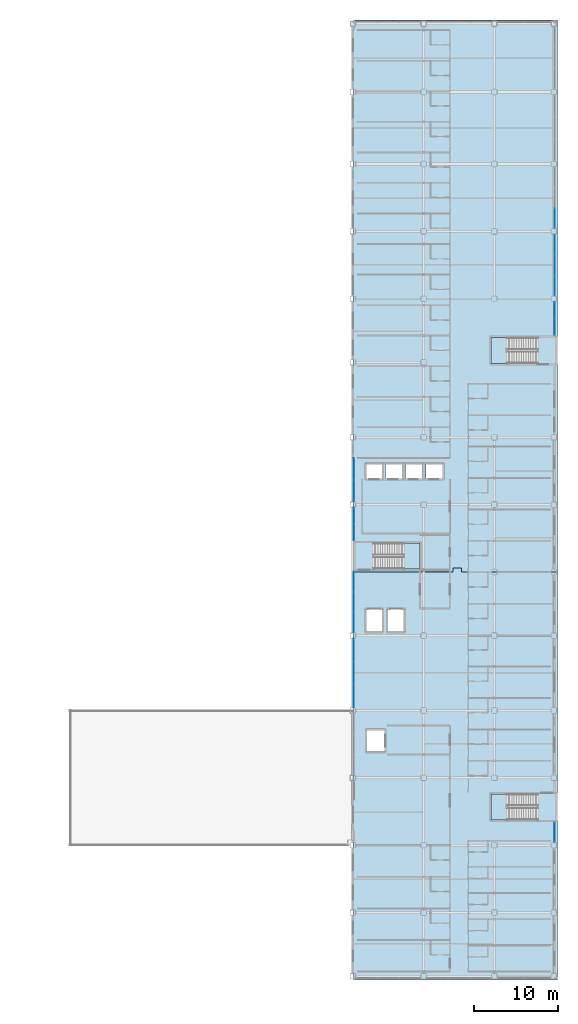
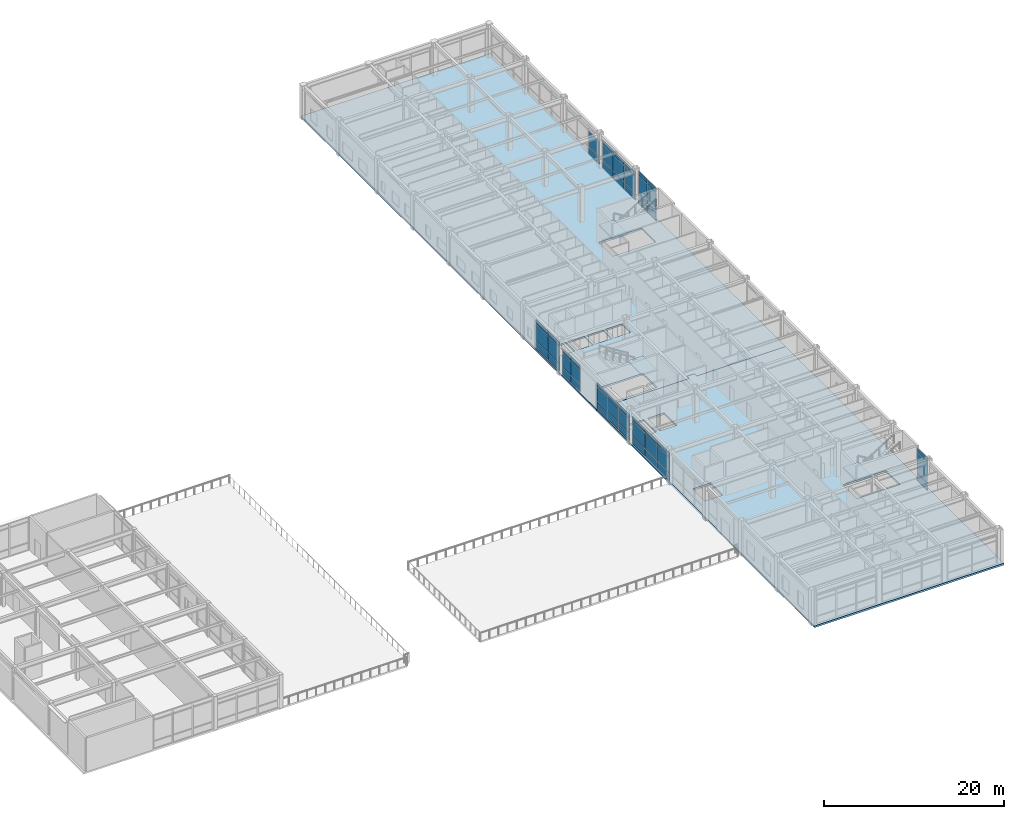
# One storey, part 46 of 61: 50 plates, 5 slabs, 11 elements without a shape of their own.
"""IFC4 building model written with IfcOpenShell, lengths in metres."""

from ifc_helpers import new_model, si_unit, direction, frame, origin, origin_2d, place, context, subcontext, project, spatial, polyline, rectangle, outline, extrude, material, layer, layer_set, type_object, element, aggregate, save


model = new_model("IFC4")

# Units and contexts
model_context = context("Model", 3, precision=1e-05, world=origin(), true_north=direction((0.0, 1.0)))
body_context = subcontext(model_context, "Body", "Model", "MODEL_VIEW")
ifc_project = project(units=[si_unit("LENGTHUNIT", "METRE"), si_unit("AREAUNIT", "SQUARE_METRE"), si_unit("VOLUMEUNIT", "CUBIC_METRE"), si_unit("PLANEANGLEUNIT", "RADIAN"), si_unit("MASSUNIT", "GRAM", prefix="KILO")], contexts=[model_context])

# Site, building, storey
site_placement = place(None, origin())
site = spatial("IfcSite", under=ifc_project, at=site_placement, CompositionType="ELEMENT")
building_placement = place(site_placement, origin())
building = spatial("IfcBuilding", under=site, at=building_placement, Name="Kazehara Bluff Congress Hotel", CompositionType="ELEMENT")
storey_placement = place(building_placement, frame((0.0, 0.0, 19.800048828125)))
storey = spatial("IfcBuildingStorey", under=building, at=storey_placement, Name="L04", CompositionType="ELEMENT", Elevation=19.800048828125)

# Curtain wall, plates
ifc_material_1 = material(Name="Anodised aluminium", Category="aluminium")
ifc_layer_1 = layer(ifc_material_1, 0.159912109375)
ifc_layer_set_1 = layer_set([ifc_layer_1], Name="Anodised aluminium")
curtain_wall_type_1 = type_object("IfcCurtainWallType", Name="TP-CW-162", PredefinedType="NOTDEFINED", material=ifc_layer_set_1)
curtain_wall_1_placement = place(storey_placement, origin())
curtain_wall_1 = element("IfcCurtainWall", 1, at=curtain_wall_1_placement, inside=storey, type_object=curtain_wall_type_1, Name="L04 curtain wall CW-162 CW-ENC-V5-L04-16765-8490", PredefinedType="NOTDEFINED")
ifc_material_2 = material(Name="Insulated low-E double glazing", Category="glass")
ifc_layer_2 = layer(ifc_material_2, 0.028076171875)
ifc_layer_set_2 = layer_set([ifc_layer_2], Name="Insulated low-E double glazing")
plate_type_1 = type_object("IfcPlateType", Name="TP-CWP-01", PredefinedType="CURTAIN_PANEL", material=ifc_layer_set_2)
plate_1_placement = place(storey_placement, frame((167.64990234375, 87.333740234375, 0.06494140625), z_axis=(0.0, 0.0, 1.0), x_axis=(0.0, -1.0, 0.0)))
plate_1 = element("IfcPlate", 2, at=plate_1_placement, type_object=plate_type_1, Name="CW-162 panel 1.1", PredefinedType="CURTAIN_PANEL", context=body_context, shape_type="SweptSolid", body=[
    extrude(rectangle(XDim=2.3525390625, YDim=0.028076171875, at=origin_2d()), origin(), (0.0, 0.0, 1.0), 0.952392578125),
])
plate_2_placement = place(storey_placement, frame((167.64990234375, 87.333740234375, 1.08251953125), z_axis=(0.0, 0.0, 1.0), x_axis=(0.0, -1.0, 0.0)))
plate_2 = element("IfcPlate", 3, at=plate_2_placement, type_object=plate_type_1, Name="CW-162 panel 1.2", PredefinedType="CURTAIN_PANEL", context=body_context, shape_type="SweptSolid", body=[
    extrude(rectangle(XDim=2.3525390625, YDim=0.028076171875, at=origin_2d()), origin(), (0.0, 0.0, 1.0), 2.139892578125),
])
plate_3_placement = place(storey_placement, frame((167.64990234375, 87.333740234375, 3.28759765625), z_axis=(0.0, 0.0, 1.0), x_axis=(0.0, -1.0, 0.0)))
plate_3 = element("IfcPlate", 4, at=plate_3_placement, type_object=plate_type_1, Name="CW-162 panel 1.3", PredefinedType="CURTAIN_PANEL", context=body_context, shape_type="SweptSolid", body=[
    extrude(rectangle(XDim=2.3525390625, YDim=0.028076171875, at=origin_2d()), origin(), (0.0, 0.0, 1.0), 0.552490234375),
])
plate_4_placement = place(storey_placement, frame((167.64990234375, 84.89990234375, 0.06494140625), z_axis=(0.0, 0.0, 1.0), x_axis=(0.0, -1.0, 0.0)))
plate_4 = element("IfcPlate", 5, at=plate_4_placement, type_object=plate_type_1, Name="CW-162 panel 2.1", PredefinedType="CURTAIN_PANEL", context=body_context, shape_type="SweptSolid", body=[
    extrude(rectangle(XDim=2.385009765625, YDim=0.028076171875, at=origin_2d()), origin(), (0.0, 0.0, 1.0), 0.952392578125),
])
plate_5_placement = place(storey_placement, frame((167.64990234375, 84.89990234375, 1.08251953125), z_axis=(0.0, 0.0, 1.0), x_axis=(0.0, -1.0, 0.0)))
plate_5 = element("IfcPlate", 6, at=plate_5_placement, type_object=plate_type_1, Name="CW-162 panel 2.2", PredefinedType="CURTAIN_PANEL", context=body_context, shape_type="SweptSolid", body=[
    extrude(rectangle(XDim=2.385009765625, YDim=0.028076171875, at=origin_2d()), origin(), (0.0, 0.0, 1.0), 2.139892578125),
])
plate_6_placement = place(storey_placement, frame((167.64990234375, 84.89990234375, 3.28759765625), z_axis=(0.0, 0.0, 1.0), x_axis=(0.0, -1.0, 0.0)))
plate_6 = element("IfcPlate", 7, at=plate_6_placement, type_object=plate_type_1, Name="CW-162 panel 2.3", PredefinedType="CURTAIN_PANEL", context=body_context, shape_type="SweptSolid", body=[
    extrude(rectangle(XDim=2.385009765625, YDim=0.028076171875, at=origin_2d()), origin(), (0.0, 0.0, 1.0), 0.552490234375),
])
plate_7_placement = place(storey_placement, frame((167.64990234375, 82.46630859375, 0.06494140625), z_axis=(0.0, 0.0, 1.0), x_axis=(0.0, -1.0, 0.0)))
plate_7 = element("IfcPlate", 8, at=plate_7_placement, type_object=plate_type_1, Name="CW-162 panel 3.1", PredefinedType="CURTAIN_PANEL", context=body_context, shape_type="SweptSolid", body=[
    extrude(rectangle(XDim=2.3525390625, YDim=0.028076171875, at=origin_2d()), origin(), (0.0, 0.0, 1.0), 0.952392578125),
])
plate_8_placement = place(storey_placement, frame((167.64990234375, 82.46630859375, 1.08251953125), z_axis=(0.0, 0.0, 1.0), x_axis=(0.0, -1.0, 0.0)))
plate_8 = element("IfcPlate", 9, at=plate_8_placement, type_object=plate_type_1, Name="CW-162 panel 3.2", PredefinedType="CURTAIN_PANEL", context=body_context, shape_type="SweptSolid", body=[
    extrude(rectangle(XDim=2.3525390625, YDim=0.028076171875, at=origin_2d()), origin(), (0.0, 0.0, 1.0), 2.139892578125),
])
plate_9_placement = place(storey_placement, frame((167.64990234375, 82.46630859375, 3.28759765625), z_axis=(0.0, 0.0, 1.0), x_axis=(0.0, -1.0, 0.0)))
plate_9 = element("IfcPlate", 10, at=plate_9_placement, type_object=plate_type_1, Name="CW-162 panel 3.3", PredefinedType="CURTAIN_PANEL", context=body_context, shape_type="SweptSolid", body=[
    extrude(rectangle(XDim=2.3525390625, YDim=0.028076171875, at=origin_2d()), origin(), (0.0, 0.0, 1.0), 0.552490234375),
])
aggregate(curtain_wall_1, [plate_1, plate_2, plate_3, plate_4, plate_5, plate_6, plate_7, plate_8, plate_9])

curtain_wall_2_placement = place(storey_placement, origin())
curtain_wall_2 = element("IfcCurtainWall", 11, at=curtain_wall_2_placement, inside=storey, type_object=curtain_wall_type_1, Name="L04 curtain wall CW-162 CW-ENC-V5-L04-16765-9290", PredefinedType="NOTDEFINED")
plate_10_placement = place(storey_placement, frame((167.64990234375, 90.46630859375, 0.06494140625), z_axis=(0.0, 0.0, 1.0), x_axis=(0.0, -1.0, 0.0)))
plate_10 = element("IfcPlate", 12, at=plate_10_placement, type_object=plate_type_1, Name="CW-162 panel 3.1", PredefinedType="CURTAIN_PANEL", context=body_context, shape_type="SweptSolid", body=[
    extrude(rectangle(XDim=2.3525390625, YDim=0.028076171875, at=origin_2d()), origin(), (0.0, 0.0, 1.0), 0.952392578125),
])
plate_11_placement = place(storey_placement, frame((167.64990234375, 90.46630859375, 1.08251953125), z_axis=(0.0, 0.0, 1.0), x_axis=(0.0, -1.0, 0.0)))
plate_11 = element("IfcPlate", 13, at=plate_11_placement, type_object=plate_type_1, Name="CW-162 panel 3.2", PredefinedType="CURTAIN_PANEL", context=body_context, shape_type="SweptSolid", body=[
    extrude(rectangle(XDim=2.3525390625, YDim=0.028076171875, at=origin_2d()), origin(), (0.0, 0.0, 1.0), 2.139892578125),
])
aggregate(curtain_wall_2, [plate_10, plate_11])

ifc_material_3 = material(Name="Anodised aluminium", Category="aluminium")
ifc_layer_3 = layer(ifc_material_3, 0.159912109375)
ifc_layer_set_3 = layer_set([ifc_layer_3], Name="Anodised aluminium")
curtain_wall_type_2 = type_object("IfcCurtainWallType", Name="TP-CW-167", PredefinedType="NOTDEFINED", material=ifc_layer_set_3)
curtain_wall_3_placement = place(storey_placement, origin())
curtain_wall_3 = element("IfcCurtainWall", 14, at=curtain_wall_3_placement, inside=storey, type_object=curtain_wall_type_2, Name="L04 curtain wall CW-167 CW-ENC-V5-L04-14380-3645", PredefinedType="NOTDEFINED")
plate_12_placement = place(storey_placement, frame((143.800048828125, 33.71630859375, 0.06494140625), z_axis=(0.0, 0.0, 1.0), x_axis=(0.0, 1.0, 0.0)))
plate_12 = element("IfcPlate", 15, at=plate_12_placement, type_object=plate_type_1, Name="CW-167 panel 1.1", PredefinedType="CURTAIN_PANEL", context=body_context, shape_type="SweptSolid", body=[
    extrude(rectangle(XDim=2.652587890625, YDim=0.028076171875, at=origin_2d()), origin(), (0.0, 0.0, 1.0), 0.952392578125),
])
plate_13_placement = place(storey_placement, frame((143.800048828125, 33.71630859375, 1.08251953125), z_axis=(0.0, 0.0, 1.0), x_axis=(0.0, 1.0, 0.0)))
plate_13 = element("IfcPlate", 16, at=plate_13_placement, type_object=plate_type_1, Name="CW-167 panel 1.2", PredefinedType="CURTAIN_PANEL", context=body_context, shape_type="SweptSolid", body=[
    extrude(rectangle(XDim=2.652587890625, YDim=0.028076171875, at=origin_2d()), origin(), (0.0, 0.0, 1.0), 2.090087890625),
])
plate_14_placement = place(storey_placement, frame((143.800048828125, 33.71630859375, 3.2373046875), z_axis=(0.0, 0.0, 1.0), x_axis=(0.0, 1.0, 0.0)))
plate_14 = element("IfcPlate", 17, at=plate_14_placement, type_object=plate_type_1, Name="CW-167 panel 1.3", PredefinedType="CURTAIN_PANEL", context=body_context, shape_type="SweptSolid", body=[
    extrude(rectangle(XDim=2.652587890625, YDim=0.028076171875, at=origin_2d()), origin(), (0.0, 0.0, 1.0), 0.552490234375),
])
plate_15_placement = place(storey_placement, frame((143.800048828125, 36.449951171875, 0.06494140625), z_axis=(0.0, 0.0, 1.0), x_axis=(0.0, 1.0, 0.0)))
plate_15 = element("IfcPlate", 18, at=plate_15_placement, type_object=plate_type_1, Name="CW-167 panel 2.1", PredefinedType="CURTAIN_PANEL", context=body_context, shape_type="SweptSolid", body=[
    extrude(rectangle(XDim=2.68505859375, YDim=0.028076171875, at=origin_2d()), origin(), (0.0, 0.0, 1.0), 0.952392578125),
])
plate_16_placement = place(storey_placement, frame((143.800048828125, 36.449951171875, 1.08251953125), z_axis=(0.0, 0.0, 1.0), x_axis=(0.0, 1.0, 0.0)))
plate_16 = element("IfcPlate", 19, at=plate_16_placement, type_object=plate_type_1, Name="CW-167 panel 2.2", PredefinedType="CURTAIN_PANEL", context=body_context, shape_type="SweptSolid", body=[
    extrude(rectangle(XDim=2.68505859375, YDim=0.028076171875, at=origin_2d()), origin(), (0.0, 0.0, 1.0), 2.090087890625),
])
plate_17_placement = place(storey_placement, frame((143.800048828125, 36.449951171875, 3.2373046875), z_axis=(0.0, 0.0, 1.0), x_axis=(0.0, 1.0, 0.0)))
plate_17 = element("IfcPlate", 20, at=plate_17_placement, type_object=plate_type_1, Name="CW-167 panel 2.3", PredefinedType="CURTAIN_PANEL", context=body_context, shape_type="SweptSolid", body=[
    extrude(rectangle(XDim=2.68505859375, YDim=0.028076171875, at=origin_2d()), origin(), (0.0, 0.0, 1.0), 0.552490234375),
])
plate_18_placement = place(storey_placement, frame((143.800048828125, 39.183837890625, 0.06494140625), z_axis=(0.0, 0.0, 1.0), x_axis=(0.0, 1.0, 0.0)))
plate_18 = element("IfcPlate", 21, at=plate_18_placement, type_object=plate_type_1, Name="CW-167 panel 3.1", PredefinedType="CURTAIN_PANEL", context=body_context, shape_type="SweptSolid", body=[
    extrude(rectangle(XDim=2.652587890625, YDim=0.028076171875, at=origin_2d()), origin(), (0.0, 0.0, 1.0), 0.952392578125),
])
plate_19_placement = place(storey_placement, frame((143.800048828125, 39.183837890625, 1.08251953125), z_axis=(0.0, 0.0, 1.0), x_axis=(0.0, 1.0, 0.0)))
plate_19 = element("IfcPlate", 22, at=plate_19_placement, type_object=plate_type_1, Name="CW-167 panel 3.2", PredefinedType="CURTAIN_PANEL", context=body_context, shape_type="SweptSolid", body=[
    extrude(rectangle(XDim=2.652587890625, YDim=0.028076171875, at=origin_2d()), origin(), (0.0, 0.0, 1.0), 2.090087890625),
])
plate_20_placement = place(storey_placement, frame((143.800048828125, 39.183837890625, 3.2373046875), z_axis=(0.0, 0.0, 1.0), x_axis=(0.0, 1.0, 0.0)))
plate_20 = element("IfcPlate", 23, at=plate_20_placement, type_object=plate_type_1, Name="CW-167 panel 3.3", PredefinedType="CURTAIN_PANEL", context=body_context, shape_type="SweptSolid", body=[
    extrude(rectangle(XDim=2.652587890625, YDim=0.028076171875, at=origin_2d()), origin(), (0.0, 0.0, 1.0), 0.552490234375),
])
aggregate(curtain_wall_3, [plate_12, plate_13, plate_14, plate_15, plate_16, plate_17, plate_18, plate_19, plate_20])

ifc_material_4 = material(Name="Anodised aluminium", Category="aluminium")
ifc_layer_4 = layer(ifc_material_4, 0.159912109375)
ifc_layer_set_4 = layer_set([ifc_layer_4], Name="Anodised aluminium")
curtain_wall_type_3 = type_object("IfcCurtainWallType", Name="TP-CW-168", PredefinedType="NOTDEFINED", material=ifc_layer_set_4)
curtain_wall_4_placement = place(storey_placement, origin())
curtain_wall_4 = element("IfcCurtainWall", 24, at=curtain_wall_4_placement, inside=storey, type_object=curtain_wall_type_3, Name="L04 curtain wall CW-168 CW-ENC-V5-L04-14380-4488", PredefinedType="NOTDEFINED")
plate_21_placement = place(storey_placement, frame((143.800048828125, 42.46044921875, 0.06494140625), z_axis=(0.0, 0.0, 1.0), x_axis=(0.0, 1.0, 0.0)))
plate_21 = element("IfcPlate", 25, at=plate_21_placement, type_object=plate_type_1, Name="CW-168 panel 1.1", PredefinedType="CURTAIN_PANEL", context=body_context, shape_type="SweptSolid", body=[
    extrude(rectangle(XDim=2.3408203125, YDim=0.028076171875, at=origin_2d()), origin(), (0.0, 0.0, 1.0), 0.952392578125),
])
plate_22_placement = place(storey_placement, frame((143.800048828125, 42.46044921875, 1.08251953125), z_axis=(0.0, 0.0, 1.0), x_axis=(0.0, 1.0, 0.0)))
plate_22 = element("IfcPlate", 26, at=plate_22_placement, type_object=plate_type_1, Name="CW-168 panel 1.2", PredefinedType="CURTAIN_PANEL", context=body_context, shape_type="SweptSolid", body=[
    extrude(rectangle(XDim=2.3408203125, YDim=0.028076171875, at=origin_2d()), origin(), (0.0, 0.0, 1.0), 1.889892578125),
])
plate_23_placement = place(storey_placement, frame((143.800048828125, 42.46044921875, 3.03759765625), z_axis=(0.0, 0.0, 1.0), x_axis=(0.0, 1.0, 0.0)))
plate_23 = element("IfcPlate", 27, at=plate_23_placement, type_object=plate_type_1, Name="CW-168 panel 1.3", PredefinedType="CURTAIN_PANEL", context=body_context, shape_type="SweptSolid", body=[
    extrude(rectangle(XDim=2.3408203125, YDim=0.028076171875, at=origin_2d()), origin(), (0.0, 0.0, 1.0), 0.552490234375),
])
plate_24_placement = place(storey_placement, frame((143.800048828125, 44.882568359375, 0.06494140625), z_axis=(0.0, 0.0, 1.0), x_axis=(0.0, 1.0, 0.0)))
plate_24 = element("IfcPlate", 28, at=plate_24_placement, type_object=plate_type_1, Name="CW-168 panel 2.1", PredefinedType="CURTAIN_PANEL", context=body_context, shape_type="SweptSolid", body=[
    extrude(rectangle(XDim=2.373291015625, YDim=0.028076171875, at=origin_2d()), origin(), (0.0, 0.0, 1.0), 0.952392578125),
])
plate_25_placement = place(storey_placement, frame((143.800048828125, 44.882568359375, 1.08251953125), z_axis=(0.0, 0.0, 1.0), x_axis=(0.0, 1.0, 0.0)))
plate_25 = element("IfcPlate", 29, at=plate_25_placement, type_object=plate_type_1, Name="CW-168 panel 2.2", PredefinedType="CURTAIN_PANEL", context=body_context, shape_type="SweptSolid", body=[
    extrude(rectangle(XDim=2.373291015625, YDim=0.028076171875, at=origin_2d()), origin(), (0.0, 0.0, 1.0), 1.889892578125),
])
plate_26_placement = place(storey_placement, frame((143.800048828125, 44.882568359375, 3.03759765625), z_axis=(0.0, 0.0, 1.0), x_axis=(0.0, 1.0, 0.0)))
plate_26 = element("IfcPlate", 30, at=plate_26_placement, type_object=plate_type_1, Name="CW-168 panel 2.3", PredefinedType="CURTAIN_PANEL", context=body_context, shape_type="SweptSolid", body=[
    extrude(rectangle(XDim=2.373291015625, YDim=0.028076171875, at=origin_2d()), origin(), (0.0, 0.0, 1.0), 0.552490234375),
])
plate_27_placement = place(storey_placement, frame((143.800048828125, 47.3046875, 0.06494140625), z_axis=(0.0, 0.0, 1.0), x_axis=(0.0, 1.0, 0.0)))
plate_27 = element("IfcPlate", 31, at=plate_27_placement, type_object=plate_type_1, Name="CW-168 panel 3.1", PredefinedType="CURTAIN_PANEL", context=body_context, shape_type="SweptSolid", body=[
    extrude(rectangle(XDim=2.3408203125, YDim=0.028076171875, at=origin_2d()), origin(), (0.0, 0.0, 1.0), 0.952392578125),
])
plate_28_placement = place(storey_placement, frame((143.800048828125, 47.3046875, 1.08251953125), z_axis=(0.0, 0.0, 1.0), x_axis=(0.0, 1.0, 0.0)))
plate_28 = element("IfcPlate", 32, at=plate_28_placement, type_object=plate_type_1, Name="CW-168 panel 3.2", PredefinedType="CURTAIN_PANEL", context=body_context, shape_type="SweptSolid", body=[
    extrude(rectangle(XDim=2.3408203125, YDim=0.028076171875, at=origin_2d()), origin(), (0.0, 0.0, 1.0), 1.889892578125),
])
plate_29_placement = place(storey_placement, frame((143.800048828125, 47.3046875, 3.03759765625), z_axis=(0.0, 0.0, 1.0), x_axis=(0.0, 1.0, 0.0)))
plate_29 = element("IfcPlate", 33, at=plate_29_placement, type_object=plate_type_1, Name="CW-168 panel 3.3", PredefinedType="CURTAIN_PANEL", context=body_context, shape_type="SweptSolid", body=[
    extrude(rectangle(XDim=2.3408203125, YDim=0.028076171875, at=origin_2d()), origin(), (0.0, 0.0, 1.0), 0.552490234375),
])
aggregate(curtain_wall_4, [plate_21, plate_22, plate_23, plate_24, plate_25, plate_26, plate_27, plate_28, plate_29])

ifc_material_5 = material(Name="Anodised aluminium", Category="aluminium")
ifc_layer_5 = layer(ifc_material_5, 0.159912109375)
ifc_layer_set_5 = layer_set([ifc_layer_5], Name="Anodised aluminium")
curtain_wall_type_4 = type_object("IfcCurtainWallType", Name="TP-CW-170", PredefinedType="NOTDEFINED", material=ifc_layer_set_5)
curtain_wall_5_placement = place(storey_placement, origin())
curtain_wall_5 = element("IfcCurtainWall", 34, at=curtain_wall_5_placement, inside=storey, type_object=curtain_wall_type_4, Name="L04 curtain wall CW-170 CW-ENC-V5-L04-14380-5939", PredefinedType="NOTDEFINED")
plate_30_placement = place(storey_placement, frame((143.800048828125, 58.09619140625, 0.06005859375), z_axis=(0.0, 0.0, 1.0), x_axis=(0.0, 1.0, 0.0)))
plate_30 = element("IfcPlate", 35, at=plate_30_placement, type_object=plate_type_1, Name="CW-170 panel 1.1", PredefinedType="CURTAIN_PANEL", context=body_context, shape_type="SweptSolid", body=[
    extrude(rectangle(XDim=2.5224609375, YDim=0.028076171875, at=origin_2d()), origin(), (0.0, 0.0, 1.0), 0.9599609375),
])
plate_31_placement = place(storey_placement, frame((143.800048828125, 58.09619140625, 1.079833984375), z_axis=(0.0, 0.0, 1.0), x_axis=(0.0, 1.0, 0.0)))
plate_31 = element("IfcPlate", 36, at=plate_31_placement, type_object=plate_type_1, Name="CW-170 panel 1.2", PredefinedType="CURTAIN_PANEL", context=body_context, shape_type="SweptSolid", body=[
    extrude(rectangle(XDim=2.5224609375, YDim=0.028076171875, at=origin_2d()), origin(), (0.0, 0.0, 1.0), 2.2451171875),
])
plate_32_placement = place(storey_placement, frame((143.800048828125, 58.09619140625, 3.385009765625), z_axis=(0.0, 0.0, 1.0), x_axis=(0.0, 1.0, 0.0)))
plate_32 = element("IfcPlate", 37, at=plate_32_placement, type_object=plate_type_1, Name="CW-170 panel 1.3", PredefinedType="CURTAIN_PANEL", context=body_context, shape_type="SweptSolid", body=[
    extrude(rectangle(XDim=2.5224609375, YDim=0.028076171875, at=origin_2d()), origin(), (0.0, 0.0, 1.0), 0.56005859375),
])
plate_33_placement = place(storey_placement, frame((143.800048828125, 60.6787109375, 0.06005859375), z_axis=(0.0, 0.0, 1.0), x_axis=(0.0, 1.0, 0.0)))
plate_33 = element("IfcPlate", 38, at=plate_33_placement, type_object=plate_type_1, Name="CW-170 panel 2.1", PredefinedType="CURTAIN_PANEL", context=body_context, shape_type="SweptSolid", body=[
    extrude(rectangle(XDim=2.5224609375, YDim=0.028076171875, at=origin_2d()), origin(), (0.0, 0.0, 1.0), 0.9599609375),
])
plate_34_placement = place(storey_placement, frame((143.800048828125, 60.6787109375, 1.079833984375), z_axis=(0.0, 0.0, 1.0), x_axis=(0.0, 1.0, 0.0)))
plate_34 = element("IfcPlate", 39, at=plate_34_placement, type_object=plate_type_1, Name="CW-170 panel 2.2", PredefinedType="CURTAIN_PANEL", context=body_context, shape_type="SweptSolid", body=[
    extrude(rectangle(XDim=2.5224609375, YDim=0.028076171875, at=origin_2d()), origin(), (0.0, 0.0, 1.0), 2.2451171875),
])
plate_35_placement = place(storey_placement, frame((143.800048828125, 60.6787109375, 3.385009765625), z_axis=(0.0, 0.0, 1.0), x_axis=(0.0, 1.0, 0.0)))
plate_35 = element("IfcPlate", 40, at=plate_35_placement, type_object=plate_type_1, Name="CW-170 panel 2.3", PredefinedType="CURTAIN_PANEL", context=body_context, shape_type="SweptSolid", body=[
    extrude(rectangle(XDim=2.5224609375, YDim=0.028076171875, at=origin_2d()), origin(), (0.0, 0.0, 1.0), 0.56005859375),
])
aggregate(curtain_wall_5, [plate_30, plate_31, plate_32, plate_33, plate_34, plate_35])

ifc_material_6 = material(Name="Anodised aluminium", Category="aluminium")
ifc_layer_6 = layer(ifc_material_6, 0.159912109375)
ifc_layer_set_6 = layer_set([ifc_layer_6], Name="Anodised aluminium")
curtain_wall_type_5 = type_object("IfcCurtainWallType", Name="TP-CW-160", PredefinedType="NOTDEFINED", material=ifc_layer_set_6)
curtain_wall_6_placement = place(storey_placement, origin())
curtain_wall_6 = element("IfcCurtainWall", 41, at=curtain_wall_6_placement, inside=storey, type_object=curtain_wall_type_5, Name="L04 curtain wall CW-160 CW-ENC-V5-L04-16765-1753", PredefinedType="NOTDEFINED")
ifc_material_7 = material(Name="Insulated low-E double glazing", Category="glass")
ifc_layer_7 = layer(ifc_material_7, 0.031982421875)
ifc_layer_set_7 = layer_set([ifc_layer_7], Name="Insulated low-E double glazing")
plate_type_2 = type_object("IfcPlateType", Name="TP-CWP-02", PredefinedType="CURTAIN_PANEL", material=ifc_layer_set_7)
plate_36_placement = place(storey_placement, frame((167.64990234375, 17.532470703125, 0.06005859375), z_axis=(0.0, 0.0, 1.0), x_axis=(0.0, -1.0, 0.0)))
plate_36 = element("IfcPlate", 42, at=plate_36_placement, type_object=plate_type_2, Name="CW-160 panel 1.1", PredefinedType="CURTAIN_PANEL", context=body_context, shape_type="SweptSolid", body=[
    extrude(rectangle(XDim=2.27490234375, YDim=0.031982421875, at=origin_2d()), origin(), (0.0, 0.0, 1.0), 0.9599609375),
])
plate_37_placement = place(storey_placement, frame((167.64990234375, 17.532470703125, 1.080078125), z_axis=(0.0, 0.0, 1.0), x_axis=(0.0, -1.0, 0.0)))
plate_37 = element("IfcPlate", 43, at=plate_37_placement, type_object=plate_type_2, Name="CW-160 panel 1.2", PredefinedType="CURTAIN_PANEL", context=body_context, shape_type="SweptSolid", body=[
    extrude(rectangle(XDim=2.27490234375, YDim=0.031982421875, at=origin_2d()), origin(), (0.0, 0.0, 1.0), 2.804931640625),
])
plate_38_placement = place(storey_placement, frame((167.64990234375, 17.532470703125, 3.94482421875), z_axis=(0.0, 0.0, 1.0), x_axis=(0.0, -1.0, 0.0)))
plate_38 = element("IfcPlate", 44, at=plate_38_placement, type_object=plate_type_2, Name="CW-160 panel 1.3", PredefinedType="CURTAIN_PANEL", context=body_context, shape_type="SweptSolid", body=[
    extrude(rectangle(XDim=2.27490234375, YDim=0.031982421875, at=origin_2d()), origin(), (0.0, 0.0, 1.0), 0.56005859375),
])
aggregate(curtain_wall_6, [plate_36, plate_37, plate_38])

ifc_material_8 = material(Name="Anodised aluminium", Category="aluminium")
ifc_layer_8 = layer(ifc_material_8, 0.159912109375)
ifc_layer_set_8 = layer_set([ifc_layer_8], Name="Anodised aluminium")
curtain_wall_type_6 = type_object("IfcCurtainWallType", Name="TP-CW-161", PredefinedType="NOTDEFINED", material=ifc_layer_set_8)
curtain_wall_7_placement = place(storey_placement, origin())
curtain_wall_7 = element("IfcCurtainWall", 45, at=curtain_wall_7_placement, inside=storey, type_object=curtain_wall_type_6, Name="L04 curtain wall CW-161 CW-ENC-V5-L04-16765-7857", PredefinedType="NOTDEFINED")
plate_39_placement = place(storey_placement, frame((167.64990234375, 79.5537109375, 0.06005859375), z_axis=(0.0, 0.0, 1.0), x_axis=(0.0, -1.0, 0.0)))
plate_39 = element("IfcPlate", 46, at=plate_39_placement, type_object=plate_type_2, Name="CW-161 panel 1.1", PredefinedType="CURTAIN_PANEL", context=body_context, shape_type="SweptSolid", body=[
    extrude(rectangle(XDim=1.902587890625, YDim=0.031982421875, at=origin_2d()), origin(), (0.0, 0.0, 1.0), 0.9599609375),
])
plate_40_placement = place(storey_placement, frame((167.64990234375, 79.5537109375, 1.080078125), z_axis=(0.0, 0.0, 1.0), x_axis=(0.0, -1.0, 0.0)))
plate_40 = element("IfcPlate", 47, at=plate_40_placement, type_object=plate_type_2, Name="CW-161 panel 1.2", PredefinedType="CURTAIN_PANEL", context=body_context, shape_type="SweptSolid", body=[
    extrude(rectangle(XDim=1.902587890625, YDim=0.031982421875, at=origin_2d()), origin(), (0.0, 0.0, 1.0), 2.804931640625),
])
plate_41_placement = place(storey_placement, frame((167.64990234375, 79.5537109375, 3.94482421875), z_axis=(0.0, 0.0, 1.0), x_axis=(0.0, -1.0, 0.0)))
plate_41 = element("IfcPlate", 48, at=plate_41_placement, type_object=plate_type_2, Name="CW-161 panel 1.3", PredefinedType="CURTAIN_PANEL", context=body_context, shape_type="SweptSolid", body=[
    extrude(rectangle(XDim=1.902587890625, YDim=0.031982421875, at=origin_2d()), origin(), (0.0, 0.0, 1.0), 0.56005859375),
])
plate_42_placement = place(storey_placement, frame((167.64990234375, 77.581298828125, 0.06005859375), z_axis=(0.0, 0.0, 1.0), x_axis=(0.0, -1.0, 0.0)))
plate_42 = element("IfcPlate", 49, at=plate_42_placement, type_object=plate_type_2, Name="CW-161 panel 2.1", PredefinedType="CURTAIN_PANEL", context=body_context, shape_type="SweptSolid", body=[
    extrude(rectangle(XDim=1.902587890625, YDim=0.031982421875, at=origin_2d()), origin(), (0.0, 0.0, 1.0), 0.9599609375),
])
plate_43_placement = place(storey_placement, frame((167.64990234375, 77.581298828125, 1.080078125), z_axis=(0.0, 0.0, 1.0), x_axis=(0.0, -1.0, 0.0)))
plate_43 = element("IfcPlate", 50, at=plate_43_placement, type_object=plate_type_2, Name="CW-161 panel 2.2", PredefinedType="CURTAIN_PANEL", context=body_context, shape_type="SweptSolid", body=[
    extrude(rectangle(XDim=1.902587890625, YDim=0.031982421875, at=origin_2d()), origin(), (0.0, 0.0, 1.0), 2.804931640625),
])
plate_44_placement = place(storey_placement, frame((167.64990234375, 77.581298828125, 3.94482421875), z_axis=(0.0, 0.0, 1.0), x_axis=(0.0, -1.0, 0.0)))
plate_44 = element("IfcPlate", 51, at=plate_44_placement, type_object=plate_type_2, Name="CW-161 panel 2.3", PredefinedType="CURTAIN_PANEL", context=body_context, shape_type="SweptSolid", body=[
    extrude(rectangle(XDim=1.902587890625, YDim=0.031982421875, at=origin_2d()), origin(), (0.0, 0.0, 1.0), 0.56005859375),
])
aggregate(curtain_wall_7, [plate_39, plate_40, plate_41, plate_42, plate_43, plate_44])

ifc_material_9 = material(Name="Anodised aluminium", Category="aluminium")
ifc_layer_9 = layer(ifc_material_9, 0.159912109375)
ifc_layer_set_9 = layer_set([ifc_layer_9], Name="Anodised aluminium")
curtain_wall_type_7 = type_object("IfcCurtainWallType", Name="TP-CW-169", PredefinedType="NOTDEFINED", material=ifc_layer_set_9)
curtain_wall_8_placement = place(storey_placement, origin())
curtain_wall_8 = element("IfcCurtainWall", 52, at=curtain_wall_8_placement, inside=storey, type_object=curtain_wall_type_7, Name="L04 curtain wall CW-169 CW-ENC-V5-L04-14380-5414", PredefinedType="NOTDEFINED")
ifc_material_10 = material(Name="Insulated low-E double glazing", Category="glass")
ifc_layer_10 = layer(ifc_material_10, 0.02001953125)
ifc_layer_set_10 = layer_set([ifc_layer_10], Name="Insulated low-E double glazing")
plate_type_3 = type_object("IfcPlateType", Name="TP-CWP-03", PredefinedType="CURTAIN_PANEL", material=ifc_layer_set_10)
plate_45_placement = place(storey_placement, frame((143.800048828125, 53.166259765625, 0.06005859375), z_axis=(0.0, 0.0, 1.0), x_axis=(0.0, 1.0, 0.0)))
plate_45 = element("IfcPlate", 53, at=plate_45_placement, type_object=plate_type_3, Name="CW-169 panel 1.1", PredefinedType="CURTAIN_PANEL", context=body_context, shape_type="SweptSolid", body=[
    extrude(rectangle(XDim=1.892578125, YDim=0.02001953125, at=origin_2d()), origin(), (0.0, 0.0, 1.0), 0.9599609375),
])
plate_46_placement = place(storey_placement, frame((143.800048828125, 53.166259765625, 1.079833984375), z_axis=(0.0, 0.0, 1.0), x_axis=(0.0, 1.0, 0.0)))
plate_46 = element("IfcPlate", 54, at=plate_46_placement, type_object=plate_type_3, Name="CW-169 panel 1.2", PredefinedType="CURTAIN_PANEL", context=body_context, shape_type="SweptSolid", body=[
    extrude(rectangle(XDim=1.892578125, YDim=0.02001953125, at=origin_2d()), origin(), (0.0, 0.0, 1.0), 1.89501953125),
])
plate_47_placement = place(storey_placement, frame((143.800048828125, 53.166259765625, 3.034912109375), z_axis=(0.0, 0.0, 1.0), x_axis=(0.0, 1.0, 0.0)))
plate_47 = element("IfcPlate", 55, at=plate_47_placement, type_object=plate_type_3, Name="CW-169 panel 1.3", PredefinedType="CURTAIN_PANEL", context=body_context, shape_type="SweptSolid", body=[
    extrude(rectangle(XDim=1.892578125, YDim=0.02001953125, at=origin_2d()), origin(), (0.0, 0.0, 1.0), 0.56005859375),
])
plate_48_placement = place(storey_placement, frame((143.800048828125, 55.11865234375, 0.06005859375), z_axis=(0.0, 0.0, 1.0), x_axis=(0.0, 1.0, 0.0)))
plate_48 = element("IfcPlate", 56, at=plate_48_placement, type_object=plate_type_3, Name="CW-169 panel 2.1", PredefinedType="CURTAIN_PANEL", context=body_context, shape_type="SweptSolid", body=[
    extrude(rectangle(XDim=1.892578125, YDim=0.02001953125, at=origin_2d()), origin(), (0.0, 0.0, 1.0), 0.9599609375),
])
plate_49_placement = place(storey_placement, frame((143.800048828125, 55.11865234375, 1.079833984375), z_axis=(0.0, 0.0, 1.0), x_axis=(0.0, 1.0, 0.0)))
plate_49 = element("IfcPlate", 57, at=plate_49_placement, type_object=plate_type_3, Name="CW-169 panel 2.2", PredefinedType="CURTAIN_PANEL", context=body_context, shape_type="SweptSolid", body=[
    extrude(rectangle(XDim=1.892578125, YDim=0.02001953125, at=origin_2d()), origin(), (0.0, 0.0, 1.0), 1.89501953125),
])
plate_50_placement = place(storey_placement, frame((143.800048828125, 55.11865234375, 3.034912109375), z_axis=(0.0, 0.0, 1.0), x_axis=(0.0, 1.0, 0.0)))
plate_50 = element("IfcPlate", 58, at=plate_50_placement, type_object=plate_type_3, Name="CW-169 panel 2.3", PredefinedType="CURTAIN_PANEL", context=body_context, shape_type="SweptSolid", body=[
    extrude(rectangle(XDim=1.892578125, YDim=0.02001953125, at=origin_2d()), origin(), (0.0, 0.0, 1.0), 0.56005859375),
])
aggregate(curtain_wall_8, [plate_45, plate_46, plate_47, plate_48, plate_49, plate_50])

# Slabs
ifc_material_11 = material(Name="Concrete C36/45", Category="concrete")
ifc_layer_11 = layer(ifc_material_11, 0.239990234375)
ifc_layer_set_11 = layer_set([ifc_layer_11], Name="Concrete C36/45")
slab_type_1 = type_object("IfcSlabType", Name="TP-SL-240", PredefinedType="FLOOR", material=ifc_layer_set_11)
slab_1_placement = place(storey_placement, frame((0.0, 0.0, -0.239990234375)))
element("IfcSlab", 59, at=slab_1_placement, inside=storey, type_object=slab_type_1, Name="L04 V5 composite floor slab S", PredefinedType="FLOOR", context=body_context, shape_type="SweptSolid", body=[
    extrude(outline(polyline([(143.699951171875, 0.0), (143.699951171875, 48.449951171875), (155.60009765625, 48.449951171875), (155.60009765625, 48.949951171875), (156.60009765625, 48.949951171875), (156.60009765625, 48.449951171875), (168.0, 48.449951171875), (168.0, 0.0), (143.699951171875, 0.0)]), holes=[polyline([(165.625, 22.10009765625), (160.10009765625, 22.10009765625), (160.10009765625, 19.0), (165.625, 19.0), (165.625, 22.10009765625)]), polyline([(145.14990234375, 41.324951171875), (147.25, 41.324951171875), (147.25, 44.074951171875), (145.14990234375, 44.074951171875), (145.14990234375, 41.324951171875)]), polyline([(147.75, 41.324951171875), (149.85009765625, 41.324951171875), (149.85009765625, 44.074951171875), (147.75, 44.074951171875), (147.75, 41.324951171875)]), polyline([(145.25, 27.050048828125), (147.550048828125, 27.050048828125), (147.550048828125, 29.75), (145.25, 29.75), (145.25, 27.050048828125)])]), origin(), (0.0, 0.0, 1.0), 0.239990234375),
])
slab_2_placement = place(storey_placement, frame((0.0, 0.0, -0.239990234375)))
element("IfcSlab", 60, at=slab_2_placement, inside=storey, type_object=slab_type_1, Name="L04 V5 composite floor slab N", PredefinedType="FLOOR", context=body_context, shape_type="SweptSolid", body=[
    extrude(outline(polyline([(168.0, 114.0), (168.0, 48.449951171875), (156.60009765625, 48.449951171875), (156.60009765625, 48.949951171875), (155.60009765625, 48.949951171875), (155.60009765625, 48.449951171875), (143.699951171875, 48.449951171875), (143.699951171875, 114.0), (168.0, 114.0)]), holes=[polyline([(146.125, 48.800048828125), (151.64990234375, 48.800048828125), (151.64990234375, 51.89990234375), (146.125, 51.89990234375), (146.125, 48.800048828125)]), polyline([(165.625, 76.300048828125), (160.10009765625, 76.300048828125), (160.10009765625, 73.199951171875), (165.625, 73.199951171875), (165.625, 76.300048828125)]), polyline([(145.14990234375, 59.449951171875), (147.25, 59.449951171875), (147.25, 61.35009765625), (145.14990234375, 61.35009765625), (145.14990234375, 59.449951171875)]), polyline([(147.550048828125, 59.449951171875), (149.64990234375, 59.449951171875), (149.64990234375, 61.35009765625), (147.550048828125, 61.35009765625), (147.550048828125, 59.449951171875)]), polyline([(149.949951171875, 59.449951171875), (152.050048828125, 59.449951171875), (152.050048828125, 61.35009765625), (149.949951171875, 61.35009765625), (149.949951171875, 59.449951171875)]), polyline([(152.35009765625, 59.449951171875), (154.449951171875, 59.449951171875), (154.449951171875, 61.35009765625), (152.35009765625, 61.35009765625), (152.35009765625, 59.449951171875)])]), origin(), (0.0, 0.0, 1.0), 0.239990234375),
])

# Stair, slab
ifc_material_12 = material(Name="Concrete C36/45", Category="concrete")
stair_type = type_object("IfcStairType", Name="TP-ST-T04", PredefinedType="HALF_TURN_STAIR", material=ifc_material_12)
stair_1_placement = place(storey_placement, origin())
stair_1 = element("IfcStair", 61, at=stair_1_placement, inside=storey, type_object=stair_type, Name="L04 Escape stair ST-10", PredefinedType="HALF_TURN_STAIR")
ifc_material_13 = material(Name="Concrete C36/45", Category="concrete")
ifc_layer_12 = layer(ifc_material_13, 0.199951171875)
ifc_layer_set_12 = layer_set([ifc_layer_12], Name="Concrete C36/45")
slab_type_2 = type_object("IfcSlabType", Name="TP-SLD-200", PredefinedType="LANDING", material=ifc_layer_set_12)
slab_3_placement = place(storey_placement, frame((0.0, 0.0, 2.199951171875)))
slab_3 = element("IfcSlab", 62, at=slab_3_placement, type_object=slab_type_2, Name="ST-10 landing 1", PredefinedType="LANDING", context=body_context, shape_type="SweptSolid", body=[
    extrude(outline(polyline([(162.010009765625, 22.10009765625), (160.10009765625, 22.10009765625), (160.10009765625, 19.0), (162.010009765625, 19.0), (162.010009765625, 22.10009765625)])), origin(), (0.0, 0.0, 1.0), 0.199951171875),
])
aggregate(stair_1, [slab_3])

stair_2_placement = place(storey_placement, origin())
stair_2 = element("IfcStair", 63, at=stair_2_placement, inside=storey, type_object=stair_type, Name="L04 Escape stair ST-11", PredefinedType="HALF_TURN_STAIR")
slab_4_placement = place(storey_placement, frame((0.0, 0.0, 2.199951171875)))
slab_4 = element("IfcSlab", 64, at=slab_4_placement, type_object=slab_type_2, Name="ST-11 landing 1", PredefinedType="LANDING", context=body_context, shape_type="SweptSolid", body=[
    extrude(outline(polyline([(149.739990234375, 48.800048828125), (151.64990234375, 48.800048828125), (151.64990234375, 51.89990234375), (149.739990234375, 51.89990234375), (149.739990234375, 48.800048828125)])), origin(), (0.0, 0.0, 1.0), 0.199951171875),
])
aggregate(stair_2, [slab_4])

stair_3_placement = place(storey_placement, origin())
stair_3 = element("IfcStair", 65, at=stair_3_placement, inside=storey, type_object=stair_type, Name="L04 Escape stair ST-12", PredefinedType="HALF_TURN_STAIR")
slab_5_placement = place(storey_placement, frame((0.0, 0.0, 2.199951171875)))
slab_5 = element("IfcSlab", 66, at=slab_5_placement, type_object=slab_type_2, Name="ST-12 landing 1", PredefinedType="LANDING", context=body_context, shape_type="SweptSolid", body=[
    extrude(outline(polyline([(162.010009765625, 76.300048828125), (160.10009765625, 76.300048828125), (160.10009765625, 73.199951171875), (162.010009765625, 73.199951171875), (162.010009765625, 76.300048828125)])), origin(), (0.0, 0.0, 1.0), 0.199951171875),
])
aggregate(stair_3, [slab_5])

save(model, "model.ifc")
